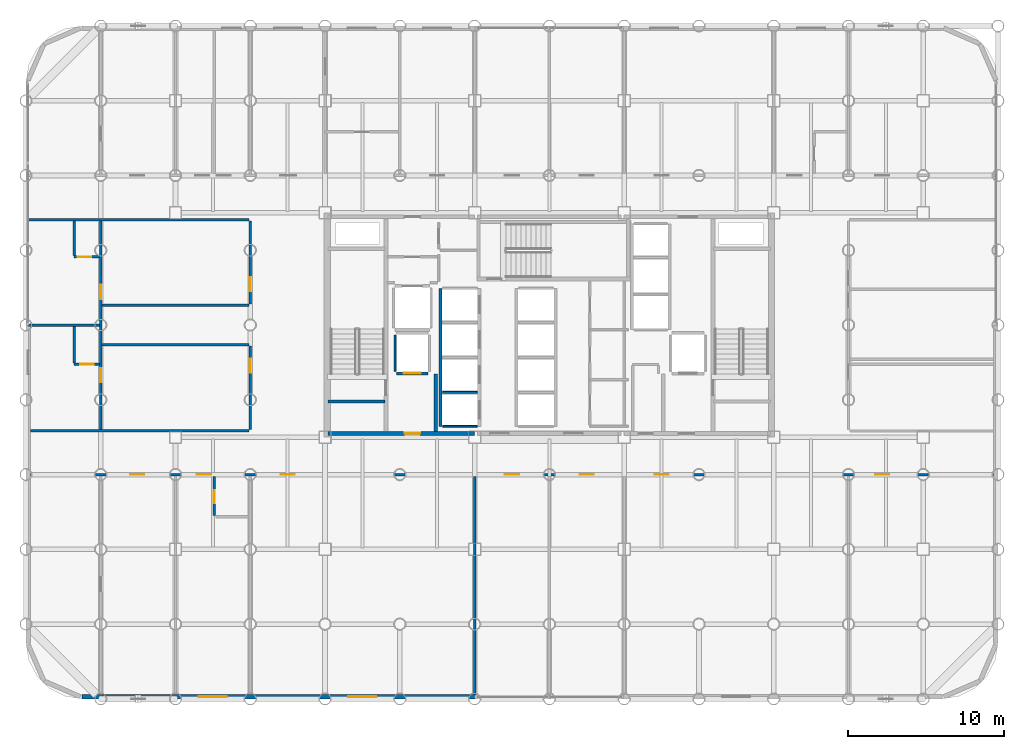
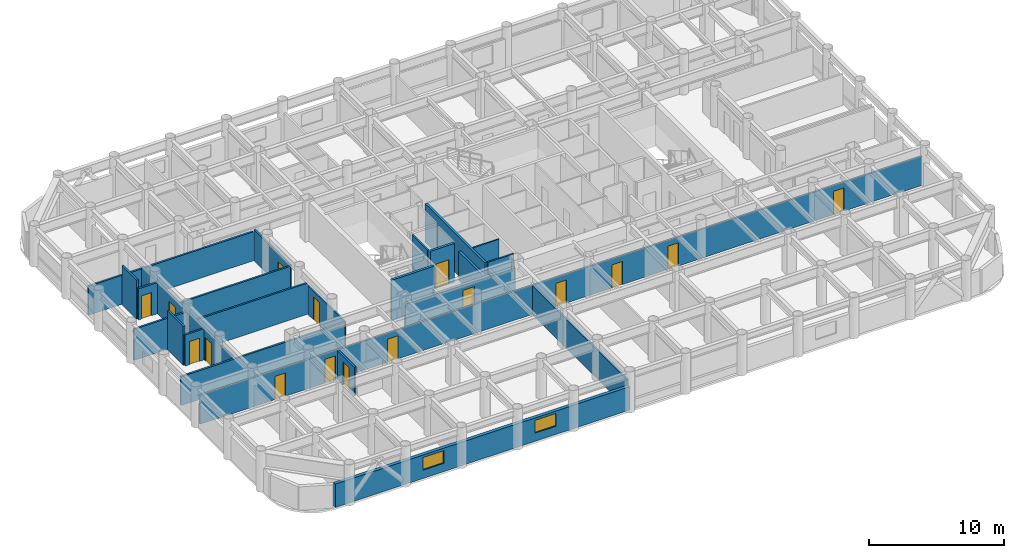
# One storey, part 16 of 21: 24 walls, 16 doors, 2 windows, 18 openings.
"""IFC4 building model written with IfcOpenShell, lengths in metres."""

from ifc_helpers import new_model, si_unit, direction, frame, frame_2d, origin, place, context, subcontext, project, spatial, rectangle, extrude, material, layer, layer_set, type_object, element, fill, save


model = new_model("IFC4")

# Units and contexts
model_context = context("Model", 3, precision=1e-05, world=origin(), true_north=direction((0.0, 1.0)))
body_context = subcontext(model_context, "Body", "Model", "MODEL_VIEW")
ifc_project = project(units=[si_unit("LENGTHUNIT", "METRE"), si_unit("AREAUNIT", "SQUARE_METRE"), si_unit("VOLUMEUNIT", "CUBIC_METRE"), si_unit("PLANEANGLEUNIT", "RADIAN"), si_unit("MASSUNIT", "GRAM", prefix="KILO")], contexts=[model_context])

# Site, building, storey
site_placement = place(None, origin())
site = spatial("IfcSite", under=ifc_project, at=site_placement, CompositionType="ELEMENT")
building_placement = place(site_placement, origin())
building = spatial("IfcBuilding", under=site, at=building_placement, Name="Kallvorn Hotel Tower", CompositionType="ELEMENT")
storey_placement = place(building_placement, frame((0.0, 0.0, 52.199951171875)))
storey = spatial("IfcBuildingStorey", under=building, at=storey_placement, Name="L11", CompositionType="ELEMENT", Elevation=52.199951171875)

# Wall, openings, doors
ifc_material_1 = material(Name="Fire-rated double-layer acoustic gypsum drywall EI 60")
ifc_layer_1 = layer(ifc_material_1, 0.159912109375)
ifc_layer_set_1 = layer_set([ifc_layer_1], Name="WL_DEMISE_160")
wall_type_1 = type_object("IfcWallType", Name="WL_DEMISE_160", PredefinedType="PARTITIONING", material=ifc_layer_set_1)
wall_1_placement = place(storey_placement, frame((-33.31005859375, -9.60009765625, 0.0), z_axis=(0.0, 0.0, 1.0), x_axis=(1.0, 0.0, 0.0)))
wall_1 = element("IfcWall", 1, at=wall_1_placement, inside=storey, type_object=wall_type_1, Name="L11 Suite 1103 Superior Twin Room Partition", PredefinedType="PARTITIONING", context=body_context, shape_type="SweptSolid", body=[
    extrude(rectangle(XDim=61.820068359375, YDim=0.159912109375, at=frame_2d((30.91015625, 0.0))), origin(), (0.0, 0.0, 1.0), 2.6201171875),
])
opening_1_placement = place(wall_1_placement, frame((6.419921875, 0.0, 0.0)))
opening_1 = element("IfcOpeningElement", 2, at=opening_1_placement, cuts=wall_1, Name="Opening SVD1", PredefinedType="OPENING", context=body_context, shape_type="SweptSolid", body=[
    extrude(rectangle(XDim=0.89990234375, YDim=2.10009765625, at=frame_2d((0.449951171875, 1.050048828125))), frame((0.0, 0.094970703125, 0.0), z_axis=(0.0, -1.0, 0.0), x_axis=(1.0, 0.0, 0.0)), (0.0, 0.0, 1.0), 0.18994140625),
])
opening_2_placement = place(wall_1_placement, frame((54.240478515625, 0.0, 0.0)))
opening_2 = element("IfcOpeningElement", 3, at=opening_2_placement, cuts=wall_1, Name="Opening SVD1", PredefinedType="OPENING", context=body_context, shape_type="SweptSolid", body=[
    extrude(rectangle(XDim=0.89990234375, YDim=2.10009765625, at=frame_2d((0.449951171875, 1.050048828125))), frame((0.0, 0.094970703125, 0.0), z_axis=(0.0, -1.0, 0.0), x_axis=(1.0, 0.0, 0.0)), (0.0, 0.0, 1.0), 0.18994140625),
])
opening_3_placement = place(wall_1_placement, frame((10.679931640625, 0.0, 0.0)))
opening_3 = element("IfcOpeningElement", 4, at=opening_3_placement, cuts=wall_1, Name="Opening GD1", PredefinedType="OPENING", context=body_context, shape_type="SweptSolid", body=[
    extrude(rectangle(XDim=0.919921875, YDim=2.14990234375, at=frame_2d((0.4599609375, 1.074951171875))), frame((0.0, 0.094970703125, 0.0), z_axis=(0.0, -1.0, 0.0), x_axis=(1.0, 0.0, 0.0)), (0.0, 0.0, 1.0), 0.18994140625),
])
opening_4_placement = place(wall_1_placement, frame((16.06005859375, 0.0, 0.0)))
opening_4 = element("IfcOpeningElement", 5, at=opening_4_placement, cuts=wall_1, Name="Opening SVD1", PredefinedType="OPENING", context=body_context, shape_type="SweptSolid", body=[
    extrude(rectangle(XDim=0.89990234375, YDim=2.10009765625, at=frame_2d((0.449951171875, 1.050048828125))), frame((0.0, 0.094970703125, 0.0), z_axis=(0.0, -1.0, 0.0), x_axis=(1.0, 0.0, 0.0)), (0.0, 0.0, 1.0), 0.18994140625),
])
opening_5_placement = place(wall_1_placement, frame((30.4599609375, 0.0, 0.0)))
opening_5 = element("IfcOpeningElement", 6, at=opening_5_placement, cuts=wall_1, Name="Opening SVD1", PredefinedType="OPENING", context=body_context, shape_type="SweptSolid", body=[
    extrude(rectangle(XDim=0.89990234375, YDim=2.10009765625, at=frame_2d((0.449951171875, 1.050048828125))), frame((0.0, 0.094970703125, 0.0), z_axis=(0.0, -1.0, 0.0), x_axis=(1.0, 0.0, 0.0)), (0.0, 0.0, 1.0), 0.18994140625),
])
opening_6_placement = place(wall_1_placement, frame((35.260009765625, 0.0, 0.0)))
opening_6 = element("IfcOpeningElement", 7, at=opening_6_placement, cuts=wall_1, Name="Opening SVD1", PredefinedType="OPENING", context=body_context, shape_type="SweptSolid", body=[
    extrude(rectangle(XDim=0.89990234375, YDim=2.10009765625, at=frame_2d((0.449951171875, 1.050048828125))), frame((0.0, 0.094970703125, 0.0), z_axis=(0.0, -1.0, 0.0), x_axis=(1.0, 0.0, 0.0)), (0.0, 0.0, 1.0), 0.18994140625),
])
opening_7_placement = place(wall_1_placement, frame((40.06005859375, 0.0, 0.0)))
opening_7 = element("IfcOpeningElement", 8, at=opening_7_placement, cuts=wall_1, Name="Opening SVD1", PredefinedType="OPENING", context=body_context, shape_type="SweptSolid", body=[
    extrude(rectangle(XDim=0.89990234375, YDim=2.10009765625, at=frame_2d((0.449951171875, 1.050048828125))), frame((0.0, 0.094970703125, 0.0), z_axis=(0.0, -1.0, 0.0), x_axis=(1.0, 0.0, 0.0)), (0.0, 0.0, 1.0), 0.18994140625),
])
ifc_material_2 = material(Name="Solid-core walnut veneer fire-rated timber door leaf", Category="wood")
door_type_1 = type_object("IfcDoorType", Name="DR_GUEST_920x2150", OperationType="NOTDEFINED", PredefinedType="DOOR", material=ifc_material_2)
door_1_placement = place(opening_3_placement, origin())
door_1 = element("IfcDoor", 9, at=door_1_placement, inside=storey, type_object=door_type_1, Name="L11 Suite 1103 Superior Twin Room Door", OperationType="SINGLE_SWING_LEFT", OverallHeight=2.14990234375, OverallWidth=0.919921875, PredefinedType="DOOR", context=body_context, shape_type="SweptSolid", body=[
    extrude(rectangle(XDim=0.919921875, YDim=2.14990234375, at=frame_2d((0.4599609375, 1.074951171875))), frame((0.0, 0.02490234375, 0.0), z_axis=(0.0, -1.0, 0.0), x_axis=(1.0, 0.0, 0.0)), (0.0, 0.0, 1.0), 0.050048828125),
])
fill(opening_3, door_1)
ifc_material_3 = material(Name="Galvanised painted steel fire-rated door assembly", Category="steel")
door_type_2 = type_object("IfcDoorType", Name="DR_SERV_900x2100", OperationType="NOTDEFINED", PredefinedType="DOOR", material=ifc_material_3)
door_2_placement = place(opening_1_placement, origin())
door_2 = element("IfcDoor", 10, at=door_2_placement, inside=storey, type_object=door_type_2, Name="L11 L11 South-West Botanical Bar B Door", OperationType="SINGLE_SWING_RIGHT", OverallHeight=2.10009765625, OverallWidth=0.89990234375, PredefinedType="DOOR", context=body_context, shape_type="SweptSolid", body=[
    extrude(rectangle(XDim=0.89990234375, YDim=2.10009765625, at=frame_2d((0.449951171875, 1.050048828125))), frame((0.0, 0.02490234375, 0.0), z_axis=(0.0, -1.0, 0.0), x_axis=(1.0, 0.0, 0.0)), (0.0, 0.0, 1.0), 0.050048828125),
])
fill(opening_1, door_2)
door_3_placement = place(opening_2_placement, origin())
door_3 = element("IfcDoor", 11, at=door_3_placement, inside=storey, type_object=door_type_2, Name="L11 L11 South-East Sommelier Bar Door", OperationType="SINGLE_SWING_RIGHT", OverallHeight=2.10009765625, OverallWidth=0.89990234375, PredefinedType="DOOR", context=body_context, shape_type="SweptSolid", body=[
    extrude(rectangle(XDim=0.89990234375, YDim=2.10009765625, at=frame_2d((0.449951171875, 1.050048828125))), frame((0.0, 0.02490234375, 0.0), z_axis=(0.0, -1.0, 0.0), x_axis=(1.0, 0.0, 0.0)), (0.0, 0.0, 1.0), 0.050048828125),
])
fill(opening_2, door_3)
door_4_placement = place(opening_4_placement, origin())
door_4 = element("IfcDoor", 12, at=door_4_placement, inside=storey, type_object=door_type_2, Name="L11 L11 Diplomatic Summit Conference Boardroom 2 Door", OperationType="SINGLE_SWING_RIGHT", OverallHeight=2.10009765625, OverallWidth=0.89990234375, PredefinedType="DOOR", context=body_context, shape_type="SweptSolid", body=[
    extrude(rectangle(XDim=0.89990234375, YDim=2.10009765625, at=frame_2d((0.449951171875, 1.050048828125))), frame((0.0, 0.02490234375, 0.0), z_axis=(0.0, -1.0, 0.0), x_axis=(1.0, 0.0, 0.0)), (0.0, 0.0, 1.0), 0.050048828125),
])
fill(opening_4, door_4)
door_5_placement = place(opening_5_placement, origin())
door_5 = element("IfcDoor", 13, at=door_5_placement, inside=storey, type_object=door_type_2, Name="L11 L11 Diplomatic Summit Conference Boardroom 3-1 Door", OperationType="SINGLE_SWING_RIGHT", OverallHeight=2.10009765625, OverallWidth=0.89990234375, PredefinedType="DOOR", context=body_context, shape_type="SweptSolid", body=[
    extrude(rectangle(XDim=0.89990234375, YDim=2.10009765625, at=frame_2d((0.449951171875, 1.050048828125))), frame((0.0, 0.02490234375, 0.0), z_axis=(0.0, -1.0, 0.0), x_axis=(1.0, 0.0, 0.0)), (0.0, 0.0, 1.0), 0.050048828125),
])
fill(opening_5, door_5)
door_6_placement = place(opening_6_placement, origin())
door_6 = element("IfcDoor", 14, at=door_6_placement, inside=storey, type_object=door_type_2, Name="L11 L11 Diplomatic Summit Conference Boardroom 3-2 Door", OperationType="SINGLE_SWING_LEFT", OverallHeight=2.10009765625, OverallWidth=0.89990234375, PredefinedType="DOOR", context=body_context, shape_type="SweptSolid", body=[
    extrude(rectangle(XDim=0.89990234375, YDim=2.10009765625, at=frame_2d((0.449951171875, 1.050048828125))), frame((0.0, 0.02490234375, 0.0), z_axis=(0.0, -1.0, 0.0), x_axis=(1.0, 0.0, 0.0)), (0.0, 0.0, 1.0), 0.050048828125),
])
fill(opening_6, door_6)
door_7_placement = place(opening_7_placement, origin())
door_7 = element("IfcDoor", 15, at=door_7_placement, inside=storey, type_object=door_type_2, Name="L11 L11 Sommelier Wine and Tapas Bar 4 Door", OperationType="SINGLE_SWING_RIGHT", OverallHeight=2.10009765625, OverallWidth=0.89990234375, PredefinedType="DOOR", context=body_context, shape_type="SweptSolid", body=[
    extrude(rectangle(XDim=0.89990234375, YDim=2.10009765625, at=frame_2d((0.449951171875, 1.050048828125))), frame((0.0, 0.02490234375, 0.0), z_axis=(0.0, -1.0, 0.0), x_axis=(1.0, 0.0, 0.0)), (0.0, 0.0, 1.0), 0.050048828125),
])
fill(opening_7, door_7)

# Wall
wall_2_placement = place(storey_placement, frame((-33.31005859375, -6.800048828125, 0.0), z_axis=(0.0, 0.0, 1.0), x_axis=(1.0, 0.0, 0.0)))
element("IfcWall", 16, at=wall_2_placement, inside=storey, type_object=wall_type_1, Name="L11 Suite 1101 W Loggia King Room Partition", PredefinedType="PARTITIONING", context=body_context, shape_type="SweptSolid", body=[
    extrude(rectangle(XDim=14.030029296875, YDim=0.159912109375, at=frame_2d((7.01513671875, 0.0))), origin(), (0.0, 0.0, 1.0), 2.6201171875),
])

# Wall, opening, door
wall_3_placement = place(storey_placement, frame((-30.5, -2.52490234375, 0.0), z_axis=(0.0, 0.0, 1.0), x_axis=(1.0, 0.0, 0.0)))
wall_3 = element("IfcWall", 17, at=wall_3_placement, inside=storey, type_object=wall_type_1, Name="L11 Suite 1101 W Loggia King Room Partition", PredefinedType="PARTITIONING", context=body_context, shape_type="SweptSolid", body=[
    extrude(rectangle(XDim=1.6201171875, YDim=0.159912109375, at=frame_2d((0.81005859375, 0.0))), origin(), (0.0, 0.0, 1.0), 2.820068359375),
])
opening_8_placement = place(wall_3_placement, frame((0.3798828125, 0.0, 0.0)))
opening_8 = element("IfcOpeningElement", 18, at=opening_8_placement, cuts=wall_3, Name="Opening BD-I", PredefinedType="OPENING", context=body_context, shape_type="SweptSolid", body=[
    extrude(rectangle(XDim=0.860107421875, YDim=2.10009765625, at=frame_2d((0.43017578125, 1.050048828125))), frame((0.0, 0.094970703125, 0.0), z_axis=(0.0, -1.0, 0.0), x_axis=(1.0, 0.0, 0.0)), (0.0, 0.0, 1.0), 0.18994140625),
])
ifc_material_4 = material(Name="Solid-core walnut veneer fire-rated timber door leaf", Category="wood")
door_type_3 = type_object("IfcDoorType", Name="DR_BATH_860x2100", OperationType="NOTDEFINED", PredefinedType="DOOR", material=ifc_material_4)
door_8_placement = place(opening_8_placement, origin())
door_8 = element("IfcDoor", 19, at=door_8_placement, inside=storey, type_object=door_type_3, Name="L11 Suite 1101 En-Suite Bathroom Door", OperationType="SINGLE_SWING_LEFT", OverallHeight=2.10009765625, OverallWidth=0.860107421875, PredefinedType="DOOR", context=body_context, shape_type="SweptSolid", body=[
    extrude(rectangle(XDim=0.860107421875, YDim=2.10009765625, at=frame_2d((0.43017578125, 1.050048828125))), frame((0.0, 0.02490234375, 0.0), z_axis=(0.0, -1.0, 0.0), x_axis=(1.0, 0.0, 0.0)), (0.0, 0.0, 1.0), 0.050048828125),
])
fill(opening_8, door_8)

# Wall
wall_4_placement = place(storey_placement, frame((-33.429931640625, 0.0, 0.0), z_axis=(0.0, 0.0, 1.0), x_axis=(1.0, 0.0, 0.0)))
element("IfcWall", 20, at=wall_4_placement, inside=storey, type_object=wall_type_1, Name="L11 Suite 1102 W Andean Twin Room Partition", PredefinedType="PARTITIONING", context=body_context, shape_type="SweptSolid", body=[
    extrude(rectangle(XDim=4.550048828125, YDim=0.159912109375, at=frame_2d((2.27490234375, 0.0))), origin(), (0.0, 0.0, 1.0), 2.820068359375),
])

# Wall, opening, door
wall_5_placement = place(storey_placement, frame((-30.5, 4.373291015625, 0.0), z_axis=(0.0, 0.0, 1.0), x_axis=(1.0, 0.0, 0.0)))
wall_5 = element("IfcWall", 21, at=wall_5_placement, inside=storey, type_object=wall_type_1, Name="L11 Suite 1102 W Andean Twin Room Partition", PredefinedType="PARTITIONING", context=body_context, shape_type="SweptSolid", body=[
    extrude(rectangle(XDim=1.6201171875, YDim=0.159912109375, at=frame_2d((0.81005859375, 0.0))), origin(), (0.0, 0.0, 1.0), 2.820068359375),
])
opening_9_placement = place(wall_5_placement, frame((0.219970703125, 0.0, 0.0)))
opening_9 = element("IfcOpeningElement", 22, at=opening_9_placement, cuts=wall_5, Name="Opening BD-I", PredefinedType="OPENING", context=body_context, shape_type="SweptSolid", body=[
    extrude(rectangle(XDim=0.860107421875, YDim=2.10009765625, at=frame_2d((0.43017578125, 1.050048828125))), frame((0.0, 0.094970703125, 0.0), z_axis=(0.0, -1.0, 0.0), x_axis=(1.0, 0.0, 0.0)), (0.0, 0.0, 1.0), 0.18994140625),
])
door_9_placement = place(opening_9_placement, origin())
door_9 = element("IfcDoor", 23, at=door_9_placement, inside=storey, type_object=door_type_3, Name="L11 Suite 1102 En-Suite Bathroom Door", OperationType="SINGLE_SWING_LEFT", OverallHeight=2.10009765625, OverallWidth=0.860107421875, PredefinedType="DOOR", context=body_context, shape_type="SweptSolid", body=[
    extrude(rectangle(XDim=0.860107421875, YDim=2.10009765625, at=frame_2d((0.43017578125, 1.050048828125))), frame((0.0, 0.02490234375, 0.0), z_axis=(0.0, -1.0, 0.0), x_axis=(1.0, 0.0, 0.0)), (0.0, 0.0, 1.0), 0.050048828125),
])
fill(opening_9, door_9)

# Walls
wall_6_placement = place(storey_placement, frame((-33.429931640625, 6.75, 0.0), z_axis=(0.0, 0.0, 1.0), x_axis=(1.0, 0.0, 0.0)))
element("IfcWall", 24, at=wall_6_placement, inside=storey, type_object=wall_type_1, Name="L11 Suite 1102 W Andean Twin Room Partition", PredefinedType="PARTITIONING", context=body_context, shape_type="SweptSolid", body=[
    extrude(rectangle(XDim=14.14990234375, YDim=0.159912109375, at=frame_2d((7.074951171875, 0.0))), origin(), (0.0, 0.0, 1.0), 2.6201171875),
])
wall_7_placement = place(storey_placement, frame((-30.5, -2.43994140625, 0.0), z_axis=(0.0, 0.0, 1.0), x_axis=(0.0, 1.0, 0.0)))
element("IfcWall", 25, at=wall_7_placement, inside=storey, type_object=wall_type_1, Name="L11 Suite 1101 W Loggia King Room Partition", PredefinedType="PARTITIONING", context=body_context, shape_type="SweptSolid", body=[
    extrude(rectangle(XDim=2.33984375, YDim=0.159912109375, at=frame_2d((1.169921875, 0.0))), origin(), (0.0, 0.0, 1.0), 3.52001953125),
])
wall_8_placement = place(storey_placement, frame((-30.5, 4.458251953125, 0.0), z_axis=(0.0, 0.0, 1.0), x_axis=(0.0, 1.0, 0.0)))
element("IfcWall", 26, at=wall_8_placement, inside=storey, type_object=wall_type_1, Name="L11 Suite 1102 W Andean Twin Room Partition", PredefinedType="PARTITIONING", context=body_context, shape_type="SweptSolid", body=[
    extrude(rectangle(XDim=2.206787109375, YDim=0.159912109375, at=frame_2d((1.103515625, 0.0))), origin(), (0.0, 0.0, 1.0), 3.52001953125),
])

# Wall, openings, doors
wall_9_placement = place(storey_placement, frame((-28.800048828125, -6.715087890625, 0.0), z_axis=(0.0, 0.0, 1.0), x_axis=(0.0, 1.0, 0.0)))
wall_9 = element("IfcWall", 27, at=wall_9_placement, inside=storey, type_object=wall_type_1, Name="L11 Suite 1101 W Loggia King Room Partition", PredefinedType="PARTITIONING", context=body_context, shape_type="SweptSolid", body=[
    extrude(rectangle(XDim=13.380126953125, YDim=0.159912109375, at=frame_2d((6.68994140625, 0.0))), origin(), (0.0, 0.0, 1.0), 2.820068359375),
])
opening_10_placement = place(wall_9_placement, frame((3.034912109375, 0.0, 0.0)))
opening_10 = element("IfcOpeningElement", 28, at=opening_10_placement, cuts=wall_9, Name="Opening GD1", PredefinedType="OPENING", context=body_context, shape_type="SweptSolid", body=[
    extrude(rectangle(XDim=0.919921875, YDim=2.14990234375, at=frame_2d((0.4599609375, 1.074951171875))), frame((0.0, 0.094970703125, 0.0), z_axis=(0.0, -1.0, 0.0), x_axis=(1.0, 0.0, 0.0)), (0.0, 0.0, 1.0), 0.18994140625),
])
opening_11_placement = place(wall_9_placement, frame((8.385009765625, 0.0, 0.0)))
opening_11 = element("IfcOpeningElement", 29, at=opening_11_placement, cuts=wall_9, Name="Opening GD1", PredefinedType="OPENING", context=body_context, shape_type="SweptSolid", body=[
    extrude(rectangle(XDim=0.919921875, YDim=2.14990234375, at=frame_2d((0.4599609375, 1.074951171875))), frame((0.0, 0.094970703125, 0.0), z_axis=(0.0, -1.0, 0.0), x_axis=(1.0, 0.0, 0.0)), (0.0, 0.0, 1.0), 0.18994140625),
])
door_10_placement = place(opening_10_placement, origin())
door_10 = element("IfcDoor", 30, at=door_10_placement, inside=storey, type_object=door_type_1, Name="L11 Suite 1101 W Loggia King Room Door", OperationType="SINGLE_SWING_RIGHT", OverallHeight=2.14990234375, OverallWidth=0.919921875, PredefinedType="DOOR", context=body_context, shape_type="SweptSolid", body=[
    extrude(rectangle(XDim=0.919921875, YDim=2.14990234375, at=frame_2d((0.4599609375, 1.074951171875))), frame((0.0, 0.02490234375, 0.0), z_axis=(0.0, -1.0, 0.0), x_axis=(1.0, 0.0, 0.0)), (0.0, 0.0, 1.0), 0.050048828125),
])
fill(opening_10, door_10)
door_11_placement = place(opening_11_placement, origin())
door_11 = element("IfcDoor", 31, at=door_11_placement, inside=storey, type_object=door_type_1, Name="L11 Suite 1102 W Andean Twin Room Door", OperationType="SINGLE_SWING_RIGHT", OverallHeight=2.14990234375, OverallWidth=0.919921875, PredefinedType="DOOR", context=body_context, shape_type="SweptSolid", body=[
    extrude(rectangle(XDim=0.919921875, YDim=2.14990234375, at=frame_2d((0.4599609375, 1.074951171875))), frame((0.0, 0.02490234375, 0.0), z_axis=(0.0, -1.0, 0.0), x_axis=(1.0, 0.0, 0.0)), (0.0, 0.0, 1.0), 0.050048828125),
])
fill(opening_11, door_11)

# Wall, opening, door
wall_10_placement = place(storey_placement, frame((-21.5048828125, -12.235107421875, 0.0), z_axis=(0.0, 0.0, 1.0), x_axis=(0.0, 1.0, 0.0)))
wall_10 = element("IfcWall", 32, at=wall_10_placement, inside=storey, type_object=wall_type_1, Name="L11 Suite 1103 Superior Twin Room Partition", PredefinedType="PARTITIONING", context=body_context, shape_type="SweptSolid", body=[
    extrude(rectangle(XDim=2.51513671875, YDim=0.159912109375, at=frame_2d((1.257568359375, 0.0))), origin(), (0.0, 0.0, 1.0), 2.6201171875),
])
opening_12_placement = place(wall_10_placement, frame((0.784912109375, 0.0, 0.0)))
opening_12 = element("IfcOpeningElement", 33, at=opening_12_placement, cuts=wall_10, Name="Opening BD-I", PredefinedType="OPENING", context=body_context, shape_type="SweptSolid", body=[
    extrude(rectangle(XDim=0.860107421875, YDim=2.10009765625, at=frame_2d((0.43017578125, 1.050048828125))), frame((0.0, 0.094970703125, 0.0), z_axis=(0.0, -1.0, 0.0), x_axis=(1.0, 0.0, 0.0)), (0.0, 0.0, 1.0), 0.18994140625),
])
door_12_placement = place(opening_12_placement, origin())
door_12 = element("IfcDoor", 34, at=door_12_placement, inside=storey, type_object=door_type_3, Name="L11 Suite 1103 En-Suite Bathroom Door", OperationType="SINGLE_SWING_RIGHT", OverallHeight=2.10009765625, OverallWidth=0.860107421875, PredefinedType="DOOR", context=body_context, shape_type="SweptSolid", body=[
    extrude(rectangle(XDim=0.860107421875, YDim=2.10009765625, at=frame_2d((0.43017578125, 1.050048828125))), frame((0.0, 0.02490234375, 0.0), z_axis=(0.0, -1.0, 0.0), x_axis=(1.0, 0.0, 0.0)), (0.0, 0.0, 1.0), 0.050048828125),
])
fill(opening_12, door_12)

# Wall, openings, windows
ifc_material_5 = material(Name="Precast basalt-clad insulated concrete wall C40/50", Category="masonry")
ifc_layer_2 = layer(ifc_material_5, 0.280029296875)
ifc_layer_set_2 = layer_set([ifc_layer_2], Name="WL_EXT_LOGGIA_280")
wall_type_2 = type_object("IfcWallType", Name="WL_EXT_LOGGIA_280", PredefinedType="SOLIDWALL", material=ifc_layer_set_2)
wall_11_placement = place(storey_placement, frame((-30.0, -23.860107421875, 0.0), z_axis=(0.0, 0.0, 1.0), x_axis=(1.0, 0.0, 0.0)))
wall_11 = element("IfcWall", 35, at=wall_11_placement, inside=storey, type_object=wall_type_2, Name="L11 Exterior Envelope Wall EW-L11-SW", PredefinedType="SOLIDWALL", context=body_context, shape_type="SweptSolid", body=[
    extrude(rectangle(XDim=25.25, YDim=0.280029296875, at=frame_2d((12.625, 0.0))), origin(), (0.0, 0.0, 1.0), 2.1201171875),
])
opening_13_placement = place(wall_11_placement, frame((7.5, 0.0, 0.75)))
opening_13 = element("IfcOpeningElement", 36, at=opening_13_placement, cuts=wall_11, Name="Opening W04A", PredefinedType="OPENING", context=body_context, shape_type="SweptSolid", body=[
    extrude(rectangle(XDim=1.800048828125, YDim=1.14990234375, at=frame_2d((0.89990234375, 0.574951171875))), frame((0.0, 0.155029296875, 0.0), z_axis=(0.0, -1.0, 0.0), x_axis=(1.0, 0.0, 0.0)), (0.0, 0.0, 1.0), 0.31005859375),
])
opening_14_placement = place(wall_11_placement, frame((17.10009765625, 0.0, 0.75)))
opening_14 = element("IfcOpeningElement", 37, at=opening_14_placement, cuts=wall_11, Name="Opening W04A", PredefinedType="OPENING", context=body_context, shape_type="SweptSolid", body=[
    extrude(rectangle(XDim=1.800048828125, YDim=1.14990234375, at=frame_2d((0.89990234375, 0.574951171875))), frame((0.0, 0.155029296875, 0.0), z_axis=(0.0, -1.0, 0.0), x_axis=(1.0, 0.0, 0.0)), (0.0, 0.0, 1.0), 0.31005859375),
])
ifc_material_6 = material(Name="Double-glazed low-e solar-control dark glass", Category="glass")
window_type = type_object("IfcWindowType", Name="WN_HTL_1800x1150", PartitioningType="SINGLE_PANEL", PredefinedType="WINDOW", material=ifc_material_6)
window_1_placement = place(opening_13_placement, origin())
window_1 = element("IfcWindow", 38, at=window_1_placement, inside=storey, type_object=window_type, Name="L11 Guestroom Exterior Window 02", OverallHeight=1.14990234375, OverallWidth=1.800048828125, PartitioningType="SINGLE_PANEL", PredefinedType="WINDOW", context=body_context, shape_type="SweptSolid", body=[
    extrude(rectangle(XDim=1.800048828125, YDim=1.14990234375, at=frame_2d((0.89990234375, 0.574951171875))), frame((0.0, 0.030029296875, 0.0), z_axis=(0.0, -1.0, 0.0), x_axis=(1.0, 0.0, 0.0)), (0.0, 0.0, 1.0), 0.06005859375),
])
fill(opening_13, window_1)
window_2_placement = place(opening_14_placement, origin())
window_2 = element("IfcWindow", 39, at=window_2_placement, inside=storey, type_object=window_type, Name="L11 Guestroom Exterior Window 03", OverallHeight=1.14990234375, OverallWidth=1.800048828125, PartitioningType="SINGLE_PANEL", PredefinedType="WINDOW", context=body_context, shape_type="SweptSolid", body=[
    extrude(rectangle(XDim=1.800048828125, YDim=1.14990234375, at=frame_2d((0.89990234375, 0.574951171875))), frame((0.0, 0.030029296875, 0.0), z_axis=(0.0, -1.0, 0.0), x_axis=(1.0, 0.0, 0.0)), (0.0, 0.0, 1.0), 0.06005859375),
])
fill(opening_14, window_2)

# Walls
ifc_material_7 = material(Name="Concrete C40/50", Category="concrete")
ifc_layer_3 = layer(ifc_material_7, 0.219970703125)
ifc_layer_set_3 = layer_set([ifc_layer_3], Name="WL_FFL_220")
wall_type_3 = type_object("IfcWallType", Name="WL_FFL_220", PredefinedType="SOLIDWALL", material=ifc_layer_set_3)
wall_12_placement = place(storey_placement, frame((-7.300048828125, -6.820068359375, 0.0), z_axis=(0.0, 0.0, 1.0), x_axis=(0.0, 1.0, 0.0)))
element("IfcWall", 40, at=wall_12_placement, inside=storey, type_object=wall_type_3, Name="L11 Firefighting Lobby West Divider Wall", PredefinedType="SOLIDWALL", context=body_context, shape_type="SweptSolid", body=[
    extrude(rectangle(XDim=3.670166015625, YDim=0.219970703125, at=frame_2d((1.8349609375, 0.0))), origin(), (0.0, 0.0, 1.0), 2.6201171875),
])
ifc_material_8 = material(Name="Concrete C40/50", Category="concrete")
ifc_layer_4 = layer(ifc_material_8, 0.199951171875)
ifc_layer_set_4 = layer_set([ifc_layer_4], Name="WL_HOIST_200")
wall_type_4 = type_object("IfcWallType", Name="WL_HOIST_200", PredefinedType="SOLIDWALL", material=ifc_layer_set_4)
wall_13_placement = place(storey_placement, frame((-14.199951171875, -4.89990234375, -0.179931640625), z_axis=(0.0, 0.0, 1.0), x_axis=(1.0, 0.0, 0.0)))
element("IfcWall", 41, at=wall_13_placement, inside=storey, type_object=wall_type_4, Name="L11 Stair ST1 South Wall", PredefinedType="SOLIDWALL", context=body_context, shape_type="SweptSolid", body=[
    extrude(rectangle(XDim=3.64990234375, YDim=0.199951171875, at=frame_2d((1.824951171875, 0.0))), origin(), (0.0, 0.0, 1.0), 3.699951171875),
])
wall_14_placement = place(storey_placement, frame((-7.0, -6.5, 0.0), z_axis=(0.0, 0.0, 1.0), x_axis=(0.0, 1.0, 0.0)))
element("IfcWall", 42, at=wall_14_placement, inside=storey, type_object=wall_type_4, Name="L11 Lift Bank B1 Rear Shaft Wall", PredefinedType="SOLIDWALL", context=body_context, shape_type="SweptSolid", body=[
    extrude(rectangle(XDim=8.85009765625, YDim=0.199951171875, at=frame_2d((4.425048828125, 0.0))), origin(), (0.0, 0.0, 1.0), 3.52001953125),
])

# Wall, opening, door
wall_15_placement = place(storey_placement, frame((-9.820068359375, -3.10009765625, 0.0), z_axis=(0.0, 0.0, 1.0), x_axis=(1.0, 0.0, 0.0)))
wall_15 = element("IfcWall", 43, at=wall_15_placement, inside=storey, type_object=wall_type_4, Name="L11 FL-1 Landing Wall", PredefinedType="SOLIDWALL", context=body_context, shape_type="SweptSolid", body=[
    extrude(rectangle(XDim=2.0400390625, YDim=0.199951171875, at=frame_2d((1.02001953125, 0.0))), origin(), (0.0, 0.0, 1.0), 3.52001953125),
])
opening_15_placement = place(wall_15_placement, frame((0.469970703125, 0.0, 0.0)))
opening_15 = element("IfcOpeningElement", 44, at=opening_15_placement, cuts=wall_15, Name="Opening LD-FL-1", PredefinedType="OPENING", context=body_context, shape_type="SweptSolid", body=[
    extrude(rectangle(XDim=1.10009765625, YDim=2.199951171875, at=frame_2d((0.550048828125, 1.10009765625))), frame((0.0, 0.114990234375, 0.0), z_axis=(0.0, -1.0, 0.0), x_axis=(1.0, 0.0, 0.0)), (0.0, 0.0, 1.0), 0.22998046875),
])
ifc_material_9 = material(Name="Brushed stainless-steel automatic sliding lift landing door", Category="steel")
door_type_4 = type_object("IfcDoorType", Name="LD_PASS_1100x2200", OperationType="SLIDING_TO_LEFT", PredefinedType="DOOR", material=ifc_material_9)
door_13_placement = place(opening_15_placement, origin())
door_13 = element("IfcDoor", 45, at=door_13_placement, inside=storey, type_object=door_type_4, Name="L11 Lift Landing Sliding Door LD-FL-1", OperationType="SLIDING_TO_LEFT", OverallHeight=2.199951171875, OverallWidth=1.10009765625, PredefinedType="DOOR", context=body_context, shape_type="SweptSolid", body=[
    extrude(rectangle(XDim=1.10009765625, YDim=2.199951171875, at=frame_2d((0.550048828125, 1.10009765625))), frame((0.0, 0.02490234375, 0.0), z_axis=(0.0, -1.0, 0.0), x_axis=(1.0, 0.0, 0.0)), (0.0, 0.0, 1.0), 0.050048828125),
])
fill(opening_15, door_13)

# Walls
ifc_material_10 = material(Name="Fire-rated double-layer acoustic gypsum drywall EI 60")
ifc_layer_5 = layer(ifc_material_10, 0.1201171875)
ifc_layer_set_5 = layer_set([ifc_layer_5], Name="WL_INT_120")
wall_type_5 = type_object("IfcWallType", Name="WL_INT_120", PredefinedType="PARTITIONING", material=ifc_layer_set_5)
for number, where, z_axis, x_axis, name in (
    (46, (-6.860107421875, -6.5, 0.0), (0.0, 0.0, 1.0), (1.0, 0.0, 0.0), "L11 Lift Bank B1 South Closure Wall"),
    (47, (-6.860107421875, -4.324951171875, 0.0), (0.0, 0.0, 1.0), (1.0, 0.0, 0.0), "L11 PL-01 Hoistway Divider"),
):
    element("IfcWall", number, at=place(storey_placement, frame(where, z_axis=z_axis, x_axis=x_axis)), inside=storey, type_object=wall_type_5, Name=name, PredefinedType="PARTITIONING", context=body_context, shape_type="SweptSolid", body=[
        extrude(rectangle(XDim=2.22021484375, YDim=0.1201171875, at=frame_2d((1.110107421875, 0.0))), origin(), (0.0, 0.0, 1.0), 3.52001953125),
    ])
wall_16_placement = place(storey_placement, frame((-9.89990234375, -2.9599609375, 0.0), z_axis=(0.0, 0.0, 1.0), x_axis=(0.0, 1.0, 0.0)))
element("IfcWall", 48, at=wall_16_placement, inside=storey, type_object=wall_type_5, Name="L11 FL-1 West Shaft Wall", PredefinedType="PARTITIONING", context=body_context, shape_type="SweptSolid", body=[
    extrude(rectangle(XDim=2.320068359375, YDim=0.1201171875, at=frame_2d((1.16015625, 0.0))), origin(), (0.0, 0.0, 1.0), 3.52001953125),
])
ifc_material_11 = material(Name="Fire-rated double-layer acoustic gypsum drywall EI 60")
ifc_layer_6 = layer(ifc_material_11, 0.14990234375)
ifc_layer_set_6 = layer_set([ifc_layer_6], Name="WL_PART_150")
wall_type_6 = type_object("IfcWallType", Name="WL_PART_150", PredefinedType="PARTITIONING", material=ifc_layer_set_6)
for number, where, z_axis, x_axis, name in (
    (49, (-28.719970703125, -1.260009765625, 0.0), (0.0, 0.0, 1.0), (1.0, 0.0, 0.0), "L11 L11 West Inner Club Bar Partition"),
    (50, (-28.719970703125, 1.260009765625, 0.0), (0.0, 0.0, 1.0), (1.0, 0.0, 0.0), "L11 L11 West Inner Reading Salon Partition"),
):
    element("IfcWall", number, at=place(storey_placement, frame(where, z_axis=z_axis, x_axis=x_axis)), inside=storey, type_object=wall_type_6, Name=name, PredefinedType="PARTITIONING", context=body_context, shape_type="SweptSolid", body=[
        extrude(rectangle(XDim=9.43994140625, YDim=0.14990234375, at=frame_2d((4.719970703125, 0.0))), origin(), (0.0, 0.0, 1.0), 2.820068359375),
    ])

# Wall, opening, door
wall_17_placement = place(storey_placement, frame((-19.199951171875, -6.715087890625, 0.0), z_axis=(0.0, 0.0, 1.0), x_axis=(0.0, 1.0, 0.0)))
wall_17 = element("IfcWall", 51, at=wall_17_placement, inside=storey, type_object=wall_type_6, Name="L11 L11 West Inner Club Bar Partition", PredefinedType="PARTITIONING", context=body_context, shape_type="SweptSolid", body=[
    extrude(rectangle(XDim=5.3701171875, YDim=0.14990234375, at=frame_2d((2.68505859375, 0.0))), origin(), (0.0, 0.0, 1.0), 2.6201171875),
])
opening_16_placement = place(wall_17_placement, frame((3.66015625, 0.0, 0.0)))
opening_16 = element("IfcOpeningElement", 52, at=opening_16_placement, cuts=wall_17, Name="Opening SVD1", PredefinedType="OPENING", context=body_context, shape_type="SweptSolid", body=[
    extrude(rectangle(XDim=0.89990234375, YDim=2.10009765625, at=frame_2d((0.449951171875, 1.050048828125))), frame((0.0, 0.08984375, 0.0), z_axis=(0.0, -1.0, 0.0), x_axis=(1.0, 0.0, 0.0)), (0.0, 0.0, 1.0), 0.179931640625),
])
door_14_placement = place(opening_16_placement, origin())
door_14 = element("IfcDoor", 53, at=door_14_placement, inside=storey, type_object=door_type_2, Name="L11 L11 West Inner Club Bar Door", OperationType="SINGLE_SWING_LEFT", OverallHeight=2.10009765625, OverallWidth=0.89990234375, PredefinedType="DOOR", context=body_context, shape_type="SweptSolid", body=[
    extrude(rectangle(XDim=0.89990234375, YDim=2.10009765625, at=frame_2d((0.449951171875, 1.050048828125))), frame((0.0, 0.02490234375, 0.0), z_axis=(0.0, -1.0, 0.0), x_axis=(1.0, 0.0, 0.0)), (0.0, 0.0, 1.0), 0.050048828125),
])
fill(opening_16, door_14)

wall_18_placement = place(storey_placement, frame((-19.199951171875, 1.344970703125, 0.0), z_axis=(0.0, 0.0, 1.0), x_axis=(0.0, 1.0, 0.0)))
wall_18 = element("IfcWall", 54, at=wall_18_placement, inside=storey, type_object=wall_type_6, Name="L11 L11 West Inner Reading Salon Partition", PredefinedType="PARTITIONING", context=body_context, shape_type="SweptSolid", body=[
    extrude(rectangle(XDim=5.320068359375, YDim=0.14990234375, at=frame_2d((2.66015625, 0.0))), origin(), (0.0, 0.0, 1.0), 2.820068359375),
])
opening_17_placement = place(wall_18_placement, frame((0.81689453125, 0.0, 0.0)))
opening_17 = element("IfcOpeningElement", 55, at=opening_17_placement, cuts=wall_18, Name="Opening SVD1", PredefinedType="OPENING", context=body_context, shape_type="SweptSolid", body=[
    extrude(rectangle(XDim=0.89990234375, YDim=2.10009765625, at=frame_2d((0.449951171875, 1.050048828125))), frame((0.0, 0.08984375, 0.0), z_axis=(0.0, -1.0, 0.0), x_axis=(1.0, 0.0, 0.0)), (0.0, 0.0, 1.0), 0.179931640625),
])
door_15_placement = place(opening_17_placement, origin())
door_15 = element("IfcDoor", 56, at=door_15_placement, inside=storey, type_object=door_type_2, Name="L11 L11 West Inner Reading Salon Door", OperationType="SINGLE_SWING_RIGHT", OverallHeight=2.10009765625, OverallWidth=0.89990234375, PredefinedType="DOOR", context=body_context, shape_type="SweptSolid", body=[
    extrude(rectangle(XDim=0.89990234375, YDim=2.10009765625, at=frame_2d((0.449951171875, 1.050048828125))), frame((0.0, 0.02490234375, 0.0), z_axis=(0.0, -1.0, 0.0), x_axis=(1.0, 0.0, 0.0)), (0.0, 0.0, 1.0), 0.050048828125),
])
fill(opening_17, door_15)

# Wall
wall_19_placement = place(storey_placement, frame((-4.800048828125, -23.7099609375, 0.0), z_axis=(0.0, 0.0, 1.0), x_axis=(0.0, 1.0, 0.0)))
element("IfcWall", 57, at=wall_19_placement, inside=storey, type_object=wall_type_6, Name="L11 L11 Diplomatic Summit Conference Boardroom 2 Partition", PredefinedType="PARTITIONING", context=body_context, shape_type="SweptSolid", body=[
    extrude(rectangle(XDim=13.989990234375, YDim=0.14990234375, at=frame_2d((6.9951171875, 0.0))), origin(), (0.0, 0.0, 1.0), 2.6201171875),
])

# Wall, opening, door
ifc_material_12 = material(Name="Concrete C40/50", Category="concrete")
ifc_layer_7 = layer(ifc_material_12, 0.25)
ifc_layer_set_7 = layer_set([ifc_layer_7], Name="WL_SHAFT_250")
wall_type_7 = type_object("IfcWallType", Name="WL_SHAFT_250", PredefinedType="SOLIDWALL", material=ifc_layer_set_7)
wall_20_placement = place(storey_placement, frame((-14.199951171875, -6.949951171875, 0.0), z_axis=(0.0, 0.0, 1.0), x_axis=(1.0, 0.0, 0.0)))
wall_20 = element("IfcWall", 58, at=wall_20_placement, inside=storey, type_object=wall_type_7, Name="L11 Core South-West Wall", PredefinedType="SOLIDWALL", context=body_context, shape_type="SweptSolid", body=[
    extrude(rectangle(XDim=9.39990234375, YDim=0.25, at=frame_2d((4.699951171875, 0.0))), origin(), (0.0, 0.0, 1.0), 2.6201171875),
])
opening_18_placement = place(wall_20_placement, frame((4.89990234375, 0.0, 0.0)))
opening_18 = element("IfcOpeningElement", 59, at=opening_18_placement, cuts=wall_20, Name="Opening FD1", PredefinedType="OPENING", context=body_context, shape_type="SweptSolid", body=[
    extrude(rectangle(XDim=1.0, YDim=2.14990234375, at=frame_2d((0.5, 1.074951171875))), frame((0.0, 0.139892578125, 0.0), z_axis=(0.0, -1.0, 0.0), x_axis=(1.0, 0.0, 0.0)), (0.0, 0.0, 1.0), 0.280029296875),
])
ifc_material_13 = material(Name="Galvanised painted steel fire-rated door assembly", Category="steel")
door_type_5 = type_object("IfcDoorType", Name="DR_FFL_1000x2150", OperationType="NOTDEFINED", PredefinedType="DOOR", material=ifc_material_13)
door_16_placement = place(opening_18_placement, origin())
door_16 = element("IfcDoor", 60, at=door_16_placement, inside=storey, type_object=door_type_5, Name="L11 Firefighting Lobby West Door", OperationType="SINGLE_SWING_RIGHT", OverallHeight=2.14990234375, OverallWidth=1.0, PredefinedType="DOOR", context=body_context, shape_type="SweptSolid", body=[
    extrude(rectangle(XDim=1.0, YDim=2.14990234375, at=frame_2d((0.5, 1.074951171875))), frame((0.0, 0.02490234375, 0.0), z_axis=(0.0, -1.0, 0.0), x_axis=(1.0, 0.0, 0.0)), (0.0, 0.0, 1.0), 0.050048828125),
])
fill(opening_18, door_16)

save(model, "model.ifc")
